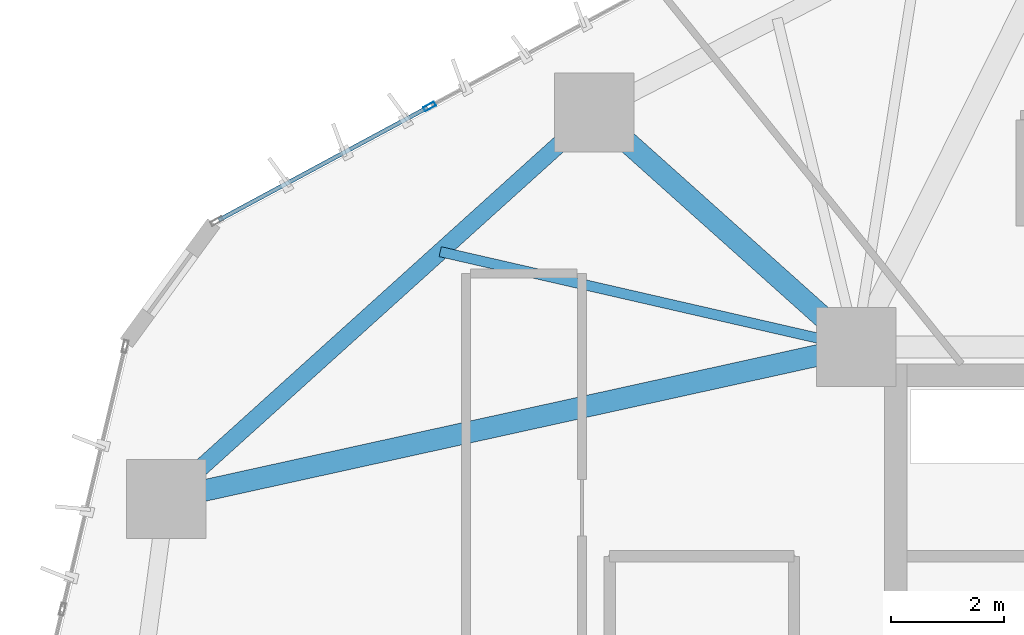
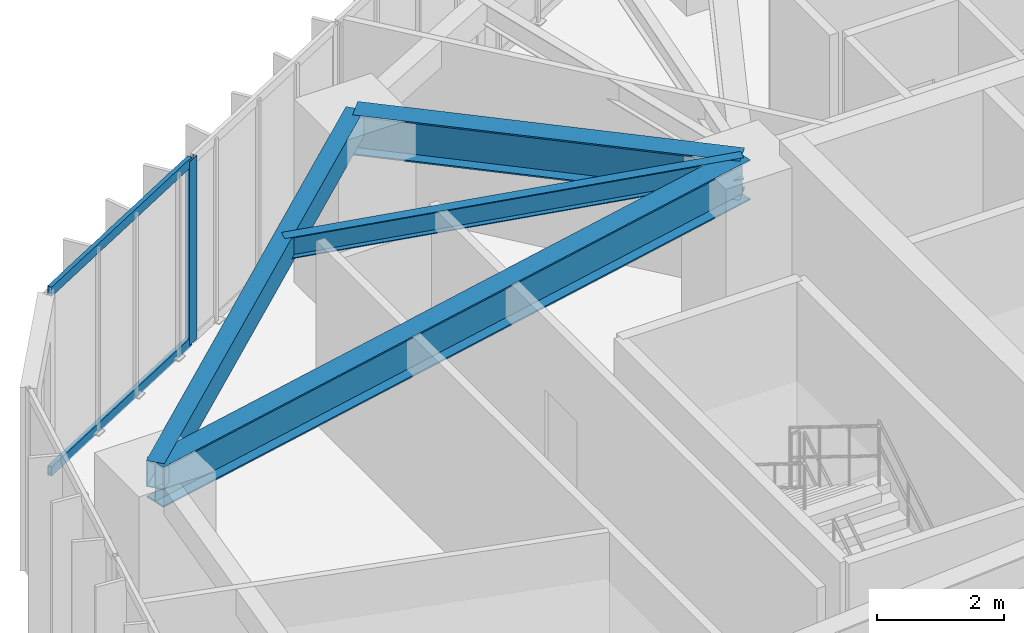
# One storey, part 8 of 24: 4 beams, 3 members, 1 element without a shape of its own.
"""IFC4 building model written with IfcOpenShell, lengths in metres."""

import ifcopenshell
import ifcopenshell.guid

model = None  # the IFC model being written
_history = None  # IfcOwnerHistory: only IFC2X3 demands one
_inside = {}  # id of a spatial element -> (the spatial element, [elements in it])
_under = {}  # id of a project, library or spatial element -> (it, [spatial elements below it])
_declared = {}  # id of a project -> (the project, [libraries it declares])
_typed = {}  # id of a type object -> (the type object, [elements of that type])
_made_of = {}  # id of a material, layer set ... -> (it, [elements and type objects made of it])


def new_model(schema):
    """Start an empty IFC model of exactly this schema.

    Asked for "IFC4X3", IfcOpenShell would pick the latest addendum, in which some entities
    have other attributes; the version numbers below select the first issue.
    IFC2X3 requires an IfcOwnerHistory on every rooted entity: one is made here for all.
    """
    global model, _history
    if schema == "IFC4X3":
        model = ifcopenshell.file(schema_version=(4, 3, 0, 0))
    else:
        model = ifcopenshell.file(schema=schema)
    _inside.clear()
    _under.clear()
    _declared.clear()
    _typed.clear()
    _made_of.clear()
    _history = None
    if model.schema == "IFC2X3":
        org = make("IfcOrganization", Name="unknown")
        user = make(
            "IfcPersonAndOrganization",
            ThePerson=make("IfcPerson", FamilyName="unknown"),
            TheOrganization=org,
        )
        app = make(
            "IfcApplication",
            ApplicationDeveloper=org,
            Version="unknown",
            ApplicationFullName="unknown",
            ApplicationIdentifier="unknown",
        )
        _history = make(
            "IfcOwnerHistory",
            OwningUser=user,
            OwningApplication=app,
            ChangeAction="ADDED",
            CreationDate=0,
        )
    return model


def make(cls, **values):
    """One entity of the class cls with the attributes given. An attribute that is None is left unset."""
    return model.create_entity(
        cls, **{name: value for name, value in values.items() if value is not None}
    )


def rooted(cls, **values):
    """An entity with a GlobalId (a new one), such as an element, a storey or a relation."""
    return make(cls, GlobalId=ifcopenshell.guid.new(), OwnerHistory=_history, **values)


def si_unit(unit_type, name, prefix=None):
    """IfcSIUnit, for example si_unit("LENGTHUNIT", "METRE", prefix="MILLI")."""
    return make("IfcSIUnit", UnitType=unit_type, Prefix=prefix, Name=name)


def assignment(units):
    """IfcUnitAssignment: the units of a project."""
    return None if units is None else make("IfcUnitAssignment", Units=units)


def point(xyz):
    """IfcCartesianPoint."""
    return None if xyz is None else make("IfcCartesianPoint", Coordinates=xyz)


def direction(xyz):
    """IfcDirection."""
    return None if xyz is None else make("IfcDirection", DirectionRatios=xyz)


def frame(location, z_axis=None, x_axis=None):
    """IfcAxis2Placement3D, a coordinate frame: its origin and axes. An axis left out is left unset."""
    return make(
        "IfcAxis2Placement3D",
        Location=point(location),
        Axis=direction(z_axis),
        RefDirection=direction(x_axis),
    )


def frame_2d(location, x_axis=None):
    """IfcAxis2Placement2D, a coordinate frame in the plane: its origin and x axis."""
    return make(
        "IfcAxis2Placement2D", Location=point(location), RefDirection=direction(x_axis)
    )


def origin():
    """The frame at (0, 0, 0) with its axes left unset."""
    return frame((0.0, 0.0, 0.0))


def origin_2d():
    """The frame at (0, 0) in the plane with its x axis left unset."""
    return frame_2d((0.0, 0.0))


def place(relative_to, where):
    """IfcLocalPlacement: puts the frame where relative to a parent placement (None: the world)."""
    return make(
        "IfcLocalPlacement", PlacementRelTo=relative_to, RelativePlacement=where
    )


def context(
    kind, dimensions, precision=None, world=None, true_north=None, identifier=None
):
    """IfcGeometricRepresentationContext, for example the 3D "Model" context."""
    return make(
        "IfcGeometricRepresentationContext",
        ContextIdentifier=identifier,
        ContextType=kind,
        CoordinateSpaceDimension=dimensions,
        Precision=precision,
        WorldCoordinateSystem=world,
        TrueNorth=true_north,
    )


def subcontext(parent, identifier, kind, view, scale=None):
    """IfcGeometricRepresentationSubContext, for example "Body" below "Model"."""
    return make(
        "IfcGeometricRepresentationSubContext",
        ContextIdentifier=identifier,
        ContextType=kind,
        ParentContext=parent,
        TargetScale=scale,
        TargetView=view,
    )


def project(units=None, contexts=None):
    """IfcProject with its units and contexts."""
    return rooted(
        "IfcProject",
        Name="project",
        RepresentationContexts=contexts,
        UnitsInContext=assignment(units),
    )


def spatial(cls, under=None, at=None, **own):
    """A site, building, storey or space (cls), placed at a placement, below another one or the project."""
    s = rooted(cls, ObjectPlacement=at, **own)
    if under is not None:
        _under.setdefault(under.id(), (under, []))[1].append(s)
    return s


def profile(cls, at=None, kind="AREA", **sizes):
    """A parametric profile (cls). Its sizes go by their IFC names, for example OverallWidth=200.0."""
    return make(cls, ProfileType=kind, Position=at, **sizes)


def hollow_rectangle(**sizes):
    """IfcRectangleHollowProfileDef."""
    return profile("IfcRectangleHollowProfileDef", **sizes)


def i_section(**sizes):
    """IfcIShapeProfileDef."""
    return profile("IfcIShapeProfileDef", **sizes)


def extrude(swept, where, along, depth):
    """IfcExtrudedAreaSolid: the profile swept, set in the frame where, extruded along a direction by depth."""
    return make(
        "IfcExtrudedAreaSolid",
        SweptArea=swept,
        Position=where,
        ExtrudedDirection=direction(along),
        Depth=depth,
    )


def shape(context_of_items, identifier, shape_type, items):
    """IfcShapeRepresentation: the items that make up one representation, for example the "Body"."""
    return make(
        "IfcShapeRepresentation",
        ContextOfItems=context_of_items,
        RepresentationIdentifier=identifier,
        RepresentationType=shape_type,
        Items=items,
    )


def source(mapping_origin, context_of_items, identifier, shape_type, items):
    """IfcRepresentationMap: a shape defined once, which mapped items show again and again."""
    return make(
        "IfcRepresentationMap",
        MappingOrigin=mapping_origin,
        MappedRepresentation=shape(context_of_items, identifier, shape_type, items),
    )


def transform(
    local_origin,
    x_axis=None,
    y_axis=None,
    z_axis=None,
    scale=None,
    scale2=None,
    scale3=None,
    uniform=True,
):
    """IfcCartesianTransformationOperator3D, or its non-uniform kind. x_axis, y_axis, z_axis: its Axis1, 2, 3."""
    if uniform:
        return make(
            "IfcCartesianTransformationOperator3D",
            Axis1=direction(x_axis),
            Axis2=direction(y_axis),
            LocalOrigin=point(local_origin),
            Scale=scale,
            Axis3=direction(z_axis),
        )
    return make(
        "IfcCartesianTransformationOperator3DnonUniform",
        Axis1=direction(x_axis),
        Axis2=direction(y_axis),
        LocalOrigin=point(local_origin),
        Scale=scale,
        Axis3=direction(z_axis),
        Scale2=scale2,
        Scale3=scale3,
    )


def mapped(mapping_source, mapping_target):
    """IfcMappedItem: shows the shape of a source again, moved by a transform."""
    return make(
        "IfcMappedItem", MappingSource=mapping_source, MappingTarget=mapping_target
    )


def material(Name=None, Category=None):
    """IfcMaterial."""
    return make("IfcMaterial", Name=Name, Category=Category)


def layer(
    of_material, thickness, ventilated=None, Name=None, Category=None, Priority=None
):
    """IfcMaterialLayer: one layer of a wall or slab, of a material (None: an air gap)."""
    return make(
        "IfcMaterialLayer",
        Material=of_material,
        LayerThickness=thickness,
        IsVentilated=ventilated,
        Name=Name,
        Category=Category,
        Priority=Priority,
    )


def layer_set(layers, Name=None):
    """IfcMaterialLayerSet."""
    return make("IfcMaterialLayerSet", MaterialLayers=layers, LayerSetName=Name)


def material_profile(
    of_material, cross_section, Name=None, Category=None, Priority=None
):
    """IfcMaterialProfile: a cross section and its material."""
    return make(
        "IfcMaterialProfile",
        Name=Name,
        Material=of_material,
        Profile=cross_section,
        Priority=Priority,
        Category=Category,
    )


def profile_set(profiles, Name=None, composite=None):
    """IfcMaterialProfileSet."""
    return make(
        "IfcMaterialProfileSet",
        Name=Name,
        MaterialProfiles=profiles,
        CompositeProfile=composite,
    )


def made_of(thing, what):
    """Note that an element or type object is made of a material, layer set ...; save() writes the relation."""
    if what is not None:
        _made_of.setdefault(what.id(), (what, []))[1].append(thing)
    return thing


def type_object(cls, material=None, **own):
    """A type object (cls), such as IfcWallType, which elements share."""
    return made_of(rooted(cls, **own), material)


def type_shapes(of_type, sources):
    """Give a type object the sources (RepresentationMaps) that its elements show as mapped items."""
    of_type.RepresentationMaps = sources


def element(
    cls,
    number,
    at=None,
    inside=None,
    cuts=None,
    type_object=None,
    material=None,
    context=None,
    identifier="Body",
    shape_type=None,
    held_by="IfcProductDefinitionShape",
    body=None,
    shapes=None,
    **own,
):
    """One element of the class cls, such as IfcWall. Its Tag is "e" and its number.

    at: its placement. inside: the storey or other place that contains it. cuts: it is an
    opening in that element (IfcRelVoidsElement). A single representation is given by context,
    identifier, shape_type and body (its items); several are given by shapes. held_by: the class
    of the entity that holds the representations. save() writes the other relations.
    """
    e = rooted(cls, Tag="e%d" % number, ObjectPlacement=at, **own)
    if body is not None:
        shapes = [shape(context, identifier, shape_type, body)]
    if shapes is not None:
        e.Representation = make(held_by, Representations=shapes)
    if inside is not None:
        _inside.setdefault(inside.id(), (inside, []))[1].append(e)
    if cuts is not None:
        rooted(
            "IfcRelVoidsElement", RelatingBuildingElement=cuts, RelatedOpeningElement=e
        )
    if type_object is not None:
        _typed.setdefault(type_object.id(), (type_object, []))[1].append(e)
    return made_of(e, material)


def aggregate(whole, parts):
    """IfcRelAggregates: a whole, such as a stair, and the parts it consists of."""
    return rooted("IfcRelAggregates", RelatingObject=whole, RelatedObjects=parts)


def save(model, path):
    """Write the relations noted so far, then the file.

    IfcRelAggregates (storeys below a building ...), IfcRelContainedInSpatialStructure (elements
    in a storey), IfcRelDefinesByType, IfcRelAssociatesMaterial and IfcRelDeclares: one each for
    every whole, place, type object, material and project.
    """
    for whole, parts in _under.values():
        aggregate(whole, parts)
    for where, things in _inside.values():
        rooted(
            "IfcRelContainedInSpatialStructure",
            RelatedElements=things,
            RelatingStructure=where,
        )
    for kind, things in _typed.values():
        rooted("IfcRelDefinesByType", RelatedObjects=things, RelatingType=kind)
    for what, things in _made_of.values():
        rooted("IfcRelAssociatesMaterial", RelatedObjects=things, RelatingMaterial=what)
    for by, libraries in _declared.values():
        rooted("IfcRelDeclares", RelatingContext=by, RelatedDefinitions=libraries)
    model.write(path)


model = new_model("IFC4")

# Units and contexts
model_context = context("Model", 3, precision=1e-05, world=origin(), true_north=direction((0.0, 1.0)))
body_context = subcontext(model_context, "Body", "Model", "MODEL_VIEW")
ifc_project = project(units=[si_unit("LENGTHUNIT", "METRE"), si_unit("AREAUNIT", "SQUARE_METRE"), si_unit("VOLUMEUNIT", "CUBIC_METRE"), si_unit("PLANEANGLEUNIT", "RADIAN"), si_unit("MASSUNIT", "GRAM", prefix="KILO")], contexts=[model_context])

# Site, building, storey
site_placement = place(None, origin())
site = spatial("IfcSite", under=ifc_project, at=site_placement, CompositionType="ELEMENT")
building_placement = place(site_placement, origin())
building = spatial("IfcBuilding", under=site, at=building_placement, Name="Talar Marvaseh", CompositionType="ELEMENT")
storey_placement = place(building_placement, frame((0.0, 0.0, 43.0)))
storey = spatial("IfcBuildingStorey", under=building, at=storey_placement, Name="L10", CompositionType="ELEMENT", Elevation=43.0)

# Beams
ifc_material_1 = material(Name="Steel S355", Category="steel")
ifc_material_profile_1 = material_profile(ifc_material_1, hollow_rectangle(XDim=0.300048828125, YDim=0.5, WallThickness=0.02001953125, at=origin_2d()), Name="RHS500x300x20")
ifc_profile_set_1 = profile_set([ifc_material_profile_1], Name="Steel S355")
beam_type_1 = type_object("IfcBeamType", Name="Zone 1 Perimeter Spandrel Beam RHS500x300x20", PredefinedType="SPANDREL", material=ifc_profile_set_1)
beam_1_placement = place(storey_placement, frame((6.501953125, 34.214111328125, 3.27001953125), z_axis=(0.742394279812, 0.669963232799, 0.0), x_axis=(-0.669963232799, 0.742394279812, 0.0)))
element("IfcBeam", 1, at=beam_1_placement, inside=storey, type_object=beam_type_1, Name="L10 Zone 1 Perimeter Spandrel Beam RHS500x300x20", PredefinedType="SPANDREL", context=body_context, shape_type="SweptSolid", body=[
    extrude(hollow_rectangle(XDim=0.300048828125, YDim=0.5, WallThickness=0.02001953125, at=origin_2d()), origin(), (0.0, 0.0, 1.0), 10.19287109375),
])
ifc_material_profile_2 = material_profile(ifc_material_1, i_section(OverallWidth=0.381103515625, OverallDepth=0.77294921875, WebThickness=0.0166015625, FlangeThickness=0.027099609375, at=origin_2d()), Name="W760x257")
ifc_profile_set_2 = profile_set([ifc_material_profile_2], Name="Steel S355")
beam_type_2 = type_object("IfcBeamType", Name="Zone 1 Radial Floor Girder W760x257", PredefinedType="BEAM", material=ifc_profile_set_2)
beam_2_placement = place(storey_placement, frame((6.501953125, 34.214111328125, 3.133544921875), z_axis=(0.976606962034, 0.215032187606, 0.0), x_axis=(-0.215032187606, 0.976606962034, 0.0)))
element("IfcBeam", 2, at=beam_2_placement, inside=storey, type_object=beam_type_2, Name="L10 Zone 1 Radial Floor Girder W760x257", PredefinedType="BEAM", context=body_context, shape_type="SweptSolid", body=[
    extrude(i_section(OverallWidth=0.381103515625, OverallDepth=0.77294921875, WebThickness=0.0166015625, FlangeThickness=0.027099609375, at=origin_2d()), origin(), (0.0, 0.0, 1.0), 12.490234375),
])
beam_3_placement = place(storey_placement, frame((14.069091796875, 41.04296875, 3.133544921875), z_axis=(0.745268030676, -0.666764997921, 0.0), x_axis=(0.666764997921, 0.745268030676, 0.0)))
element("IfcBeam", 3, at=beam_3_placement, inside=storey, type_object=beam_type_2, Name="L10 Zone 1 Radial Floor Girder W760x257", PredefinedType="BEAM", context=body_context, shape_type="SweptSolid", body=[
    extrude(i_section(OverallWidth=0.381103515625, OverallDepth=0.77294921875, WebThickness=0.0166015625, FlangeThickness=0.027099609375, at=origin_2d()), origin(), (0.0, 0.0, 1.0), 6.213623046875),
])
ifc_material_profile_3 = material_profile(ifc_material_1, i_section(OverallWidth=0.179931640625, OverallDepth=0.4130859375, WebThickness=0.009765625, FlangeThickness=0.01611328125, at=origin_2d()), Name="W410x75")
ifc_profile_set_3 = profile_set([ifc_material_profile_3], Name="Steel S355")
beam_type_3 = type_object("IfcBeamType", Name="Zone 1 Secondary Floor Joist W410x75", PredefinedType="JOIST", material=ifc_profile_set_3)
beam_4_placement = place(storey_placement, frame((11.344970703125, 38.584716796875, 3.3134765625), z_axis=(0.974752568621, -0.223287773885, 0.0), x_axis=(0.223287773885, 0.974752568621, 0.0)))
element("IfcBeam", 4, at=beam_4_placement, inside=storey, type_object=beam_type_3, Name="L10 Zone 1 Secondary Floor Joist W410x75", PredefinedType="JOIST", context=body_context, shape_type="SweptSolid", body=[
    extrude(i_section(OverallWidth=0.179931640625, OverallDepth=0.4130859375, WebThickness=0.009765625, FlangeThickness=0.01611328125, at=origin_2d()), origin(), (0.0, 0.0, 1.0), 7.54541015625),
])

# Curtain wall, members
ifc_material_2 = material(Name="Architectural Aluminium", Category="aluminium")
ifc_layer = layer(ifc_material_2, 0.219970703125)
ifc_layer_set = layer_set([ifc_layer], Name="Architectural Aluminium")
curtain_wall_type = type_object("IfcCurtainWallType", Name="Unitised Low-E Museum Curtain Wall Z1", PredefinedType="NOTDEFINED", material=ifc_layer_set)
curtain_wall_placement = place(storey_placement, origin())
curtain_wall = element("IfcCurtainWall", 5, at=curtain_wall_placement, inside=storey, type_object=curtain_wall_type, Name="L10 Unitised Low-E Museum Curtain Wall Z1", PredefinedType="NOTDEFINED")
ifc_material_profile_4 = material_profile(ifc_material_2, hollow_rectangle(XDim=0.080078125, YDim=0.219970703125, WallThickness=0.0048828125, at=origin_2d()), Name="RHS220x80x5")
ifc_profile_set_4 = profile_set([ifc_material_profile_4], Name="Architectural Aluminium")
member_type_1 = type_object("IfcMemberType", Name="Unitised Curtain Wall Heavy Mullion RHS220x80x5", PredefinedType="MULLION", material=ifc_profile_set_4)
shared_shape_1 = source(origin(), body_context, "Body", "SweptSolid", [
    extrude(hollow_rectangle(XDim=0.080078125, YDim=0.219970703125, WallThickness=0.0048828125, at=origin_2d()), origin(), (0.0, 0.0, 1.0), 3.52001953125),
])
type_shapes(member_type_1, [shared_shape_1])
member_1_placement = place(storey_placement, frame((11.156982421875, 41.15087890625, 0.0), z_axis=(0.0, 0.0, 1.0), x_axis=(-0.474363607665, 0.880329011065, 0.0)))
member_1 = element("IfcMember", 6, at=member_1_placement, type_object=member_type_1, Name="CW-Z1 mullion 2", PredefinedType="MULLION", context=body_context, shape_type="MappedRepresentation", body=[
    mapped(shared_shape_1, transform((0.0, 0.0, 0.0), x_axis=(1.0, 0.0, 0.0), y_axis=(0.0, 1.0, 0.0), z_axis=(0.0, 0.0, 1.0), scale=1.0)),
])
ifc_material_profile_5 = material_profile(ifc_material_2, hollow_rectangle(XDim=0.074951171875, YDim=0.179931640625, WallThickness=0.0048828125, at=origin_2d()), Name="RHS180x75x5")
ifc_profile_set_5 = profile_set([ifc_material_profile_5], Name="Architectural Aluminium")
member_type_2 = type_object("IfcMemberType", Name="Unitised Curtain Wall Transom RHS180x75x5", PredefinedType="USERDEFINED", material=ifc_profile_set_5)
shared_shape_2 = source(origin(), body_context, "Body", "SweptSolid", [
    extrude(hollow_rectangle(XDim=0.074951171875, YDim=0.179931640625, WallThickness=0.0048828125, at=origin_2d()), origin(), (0.0, 0.0, 1.0), 4.19189453125),
])
type_shapes(member_type_2, [shared_shape_2])
member_2_placement = place(storey_placement, frame((7.431640625, 39.143310546875, 0.03759765625), z_axis=(0.88032144469, 0.474377649156, 0.0), x_axis=(-0.474377649156, 0.88032144469, 0.0)))
member_2 = element("IfcMember", 7, at=member_2_placement, type_object=member_type_2, Name="CW-Z1 transom 1.1", ObjectType="TRANSOM", PredefinedType="USERDEFINED", context=body_context, shape_type="MappedRepresentation", body=[
    mapped(shared_shape_2, transform((0.0, 0.0, 0.0), x_axis=(1.0, 0.0, 0.0), y_axis=(0.0, 1.0, 0.0), z_axis=(0.0, 0.0, 1.0), scale=1.0)),
])
member_3_placement = place(storey_placement, frame((7.431640625, 39.143310546875, 3.482421875), z_axis=(0.88032144469, 0.474377649156, 0.0), x_axis=(-0.474377649156, 0.88032144469, 0.0)))
member_3 = element("IfcMember", 8, at=member_3_placement, type_object=member_type_2, Name="CW-Z1 transom 1.2", ObjectType="TRANSOM", PredefinedType="USERDEFINED", context=body_context, shape_type="MappedRepresentation", body=[
    mapped(shared_shape_2, transform((0.0, 0.0, 0.0), x_axis=(1.0, 0.0, 0.0), y_axis=(0.0, 1.0, 0.0), z_axis=(0.0, 0.0, 1.0), scale=1.0)),
])
aggregate(curtain_wall, [member_1, member_2, member_3])

save(model, "model.ifc")
